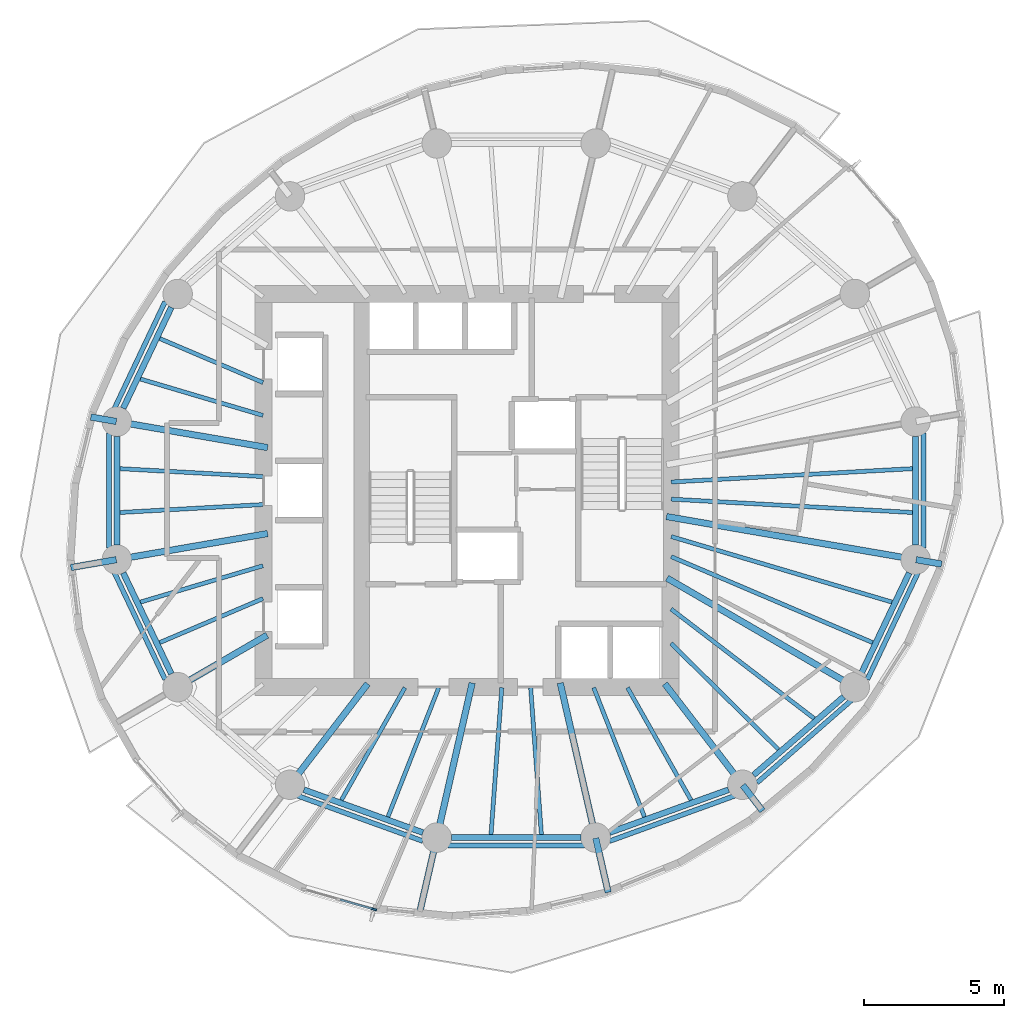
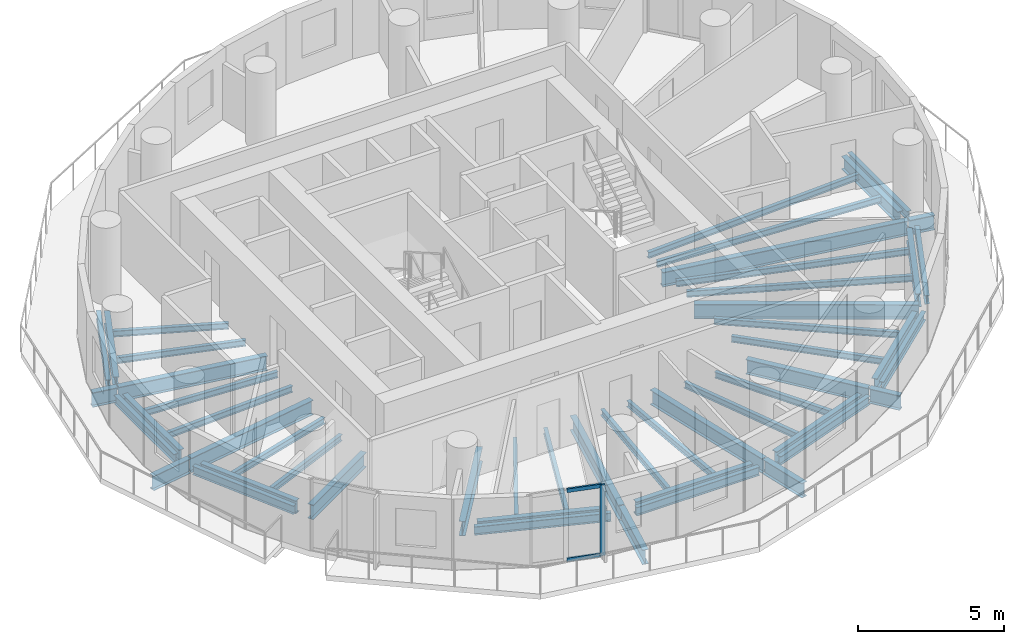
# One storey, part 2 of 12: 51 beams, 3 members, 1 element without a shape of its own.
"""IFC4 building model written with IfcOpenShell, lengths in metres."""

from ifc_helpers import new_model, si_unit, direction, frame, origin, origin_2d, place, context, subcontext, project, spatial, rectangle, i_section, extrude, material, material_profile, profile_set, type_object, element, aggregate, save


model = new_model("IFC4")

# Units and contexts
model_context = context("Model", 3, precision=1e-05, world=origin(), true_north=direction((0.0, 1.0)))
body_context = subcontext(model_context, "Body", "Model", "MODEL_VIEW")
ifc_project = project(units=[si_unit("LENGTHUNIT", "METRE"), si_unit("AREAUNIT", "SQUARE_METRE"), si_unit("VOLUMEUNIT", "CUBIC_METRE"), si_unit("PLANEANGLEUNIT", "RADIAN"), si_unit("MASSUNIT", "GRAM", prefix="KILO")], contexts=[model_context])

# Site, building, storey
site_placement = place(None, origin())
site = spatial("IfcSite", under=ifc_project, at=site_placement, CompositionType="ELEMENT")
building_placement = place(site_placement, origin())
building = spatial("IfcBuilding", under=site, at=building_placement, Name="Veldorim Arch Residences", CompositionType="ELEMENT")
storey_placement = place(building_placement, frame((0.0, 0.0, 145.760009765625)))
storey = spatial("IfcBuildingStorey", under=building, at=storey_placement, Name="L43", CompositionType="ELEMENT", Elevation=145.760009765625)

# Beams
ifc_material_1 = material(Name="Steel S355", Category="steel")
ifc_material_profile_1 = material_profile(ifc_material_1, i_section(OverallWidth=0.2099609375, OverallDepth=0.53662109375, WebThickness=0.0107421875, FlangeThickness=0.017333984375, at=origin_2d()), Name="UB533x210x101")
ifc_profile_set_1 = profile_set([ifc_material_profile_1], Name="Steel S355")
beam_type_1 = type_object("IfcBeamType", Name="Structural Steel Beam UB533x210x101", PredefinedType="BEAM", material=ifc_profile_set_1)
beam_1_placement = place(storey_placement, frame((19.7177734375, 30.5263671875, -0.50830078125), z_axis=(-0.43028577851, -0.902692721147, 0.0), x_axis=(0.902692721147, -0.43028577851, 0.0)))
element("IfcBeam", 1, at=beam_1_placement, inside=storey, type_object=beam_type_1, Name="L43 perimeter ring tie beam 07", PredefinedType="BEAM", context=body_context, shape_type="SweptSolid", body=[
    extrude(i_section(OverallWidth=0.2099609375, OverallDepth=0.53662109375, WebThickness=0.0107421875, FlangeThickness=0.017333984375, at=origin_2d()), origin(), (0.0, 0.0, 1.0), 3.98193359375),
])
beam_2_placement = place(storey_placement, frame((17.778564453125, 25.93310546875, -0.50830078125), z_axis=(0.0, -1.0, 0.0), x_axis=(1.0, 0.0, 0.0)))
element("IfcBeam", 2, at=beam_2_placement, inside=storey, type_object=beam_type_1, Name="L43 perimeter ring tie beam 08", PredefinedType="BEAM", context=body_context, shape_type="SweptSolid", body=[
    extrude(i_section(OverallWidth=0.2099609375, OverallDepth=0.53662109375, WebThickness=0.0107421875, FlangeThickness=0.017333984375, at=origin_2d()), origin(), (0.0, 0.0, 1.0), 3.8662109375),
])
beam_3_placement = place(storey_placement, frame((18.00439453125, 21.068115234375, -0.50830078125), z_axis=(0.43028577851, -0.902692721147, 0.0), x_axis=(0.902692721147, 0.43028577851, 0.0)))
element("IfcBeam", 3, at=beam_3_placement, inside=storey, type_object=beam_type_1, Name="L43 perimeter ring tie beam 09", PredefinedType="BEAM", context=body_context, shape_type="SweptSolid", body=[
    extrude(i_section(OverallWidth=0.2099609375, OverallDepth=0.53662109375, WebThickness=0.0107421875, FlangeThickness=0.017333984375, at=origin_2d()), origin(), (0.0, 0.0, 1.0), 3.98193359375),
])
beam_4_placement = place(storey_placement, frame((24.438232421875, 13.345703125, -0.50830078125), z_axis=(0.940899155006, -0.338686846673, 0.0), x_axis=(0.338686846673, 0.940899155006, 0.0)))
element("IfcBeam", 4, at=beam_4_placement, inside=storey, type_object=beam_type_1, Name="L43 perimeter ring tie beam 11", PredefinedType="BEAM", context=body_context, shape_type="SweptSolid", body=[
    extrude(i_section(OverallWidth=0.2099609375, OverallDepth=0.53662109375, WebThickness=0.0107421875, FlangeThickness=0.017333984375, at=origin_2d()), origin(), (0.0, 0.0, 1.0), 4.50537109375),
])
beam_5_placement = place(storey_placement, frame((29.6962890625, 11.64208984375, -0.50830078125), z_axis=(1.0, 0.0, 0.0), x_axis=(0.0, 1.0, 0.0)))
element("IfcBeam", 5, at=beam_5_placement, inside=storey, type_object=beam_type_1, Name="L43 perimeter ring tie beam 12", PredefinedType="BEAM", context=body_context, shape_type="SweptSolid", body=[
    extrude(i_section(OverallWidth=0.2099609375, OverallDepth=0.53662109375, WebThickness=0.0107421875, FlangeThickness=0.017333984375, at=origin_2d()), origin(), (0.0, 0.0, 1.0), 4.607421875),
])
beam_6_placement = place(storey_placement, frame((35.32275390625, 11.81982421875, -0.50830078125), z_axis=(0.940899155006, 0.338686846673, 0.0), x_axis=(-0.338686846673, 0.940899155006, 0.0)))
element("IfcBeam", 6, at=beam_6_placement, inside=storey, type_object=beam_type_1, Name="L43 perimeter ring tie beam 13", PredefinedType="BEAM", context=body_context, shape_type="SweptSolid", body=[
    extrude(i_section(OverallWidth=0.2099609375, OverallDepth=0.53662109375, WebThickness=0.0107421875, FlangeThickness=0.017333984375, at=origin_2d()), origin(), (0.0, 0.0, 1.0), 4.50537109375),
])
beam_7_placement = place(storey_placement, frame((40.4521484375, 13.867919921875, -0.50830078125), z_axis=(0.754810789581, 0.655942582802, 0.0), x_axis=(-0.655942582802, 0.754810789581, 0.0)))
element("IfcBeam", 7, at=beam_7_placement, inside=storey, type_object=beam_type_1, Name="L43 perimeter ring tie beam 14", PredefinedType="BEAM", context=body_context, shape_type="SweptSolid", body=[
    extrude(i_section(OverallWidth=0.2099609375, OverallDepth=0.53662109375, WebThickness=0.0107421875, FlangeThickness=0.017333984375, at=origin_2d()), origin(), (0.0, 0.0, 1.0), 4.249755859375),
])
beam_8_placement = place(storey_placement, frame((44.2822265625, 17.4736328125, -0.50830078125), z_axis=(0.43028577851, 0.902692721147, 0.0), x_axis=(-0.902692721147, 0.43028577851, 0.0)))
element("IfcBeam", 8, at=beam_8_placement, inside=storey, type_object=beam_type_1, Name="L43 perimeter ring tie beam 15", PredefinedType="BEAM", context=body_context, shape_type="SweptSolid", body=[
    extrude(i_section(OverallWidth=0.2099609375, OverallDepth=0.53662109375, WebThickness=0.0107421875, FlangeThickness=0.017333984375, at=origin_2d()), origin(), (0.0, 0.0, 1.0), 3.98193359375),
])
beam_9_placement = place(storey_placement, frame((46.221435546875, 22.06689453125, -0.50830078125), z_axis=(0.0, 1.0, 0.0), x_axis=(-1.0, 0.0, 0.0)))
element("IfcBeam", 9, at=beam_9_placement, inside=storey, type_object=beam_type_1, Name="L43 perimeter ring tie beam 16", PredefinedType="BEAM", context=body_context, shape_type="SweptSolid", body=[
    extrude(i_section(OverallWidth=0.2099609375, OverallDepth=0.53662109375, WebThickness=0.0107421875, FlangeThickness=0.017333984375, at=origin_2d()), origin(), (0.0, 0.0, 1.0), 3.8662109375),
])
ifc_material_2 = material(Name="Steel S355", Category="steel")
ifc_material_profile_2 = material_profile(ifc_material_2, i_section(OverallWidth=0.22900390625, OverallDepth=0.6123046875, WebThickness=0.011962890625, FlangeThickness=0.01953125, at=origin_2d()), Name="UB610x229x125")
ifc_profile_set_2 = profile_set([ifc_material_profile_2], Name="Steel S355")
beam_type_2 = type_object("IfcBeamType", Name="Structural Steel Beam UB610x229x125", PredefinedType="BEAM", material=ifc_profile_set_2)
beam_10_placement = place(storey_placement, frame((23.147705078125, 25.530029296875, -0.546142578125), z_axis=(-0.985390445301, 0.170310511449, 0.0), x_axis=(-0.170310511449, -0.985390445301, 0.0)))
element("IfcBeam", 10, at=beam_10_placement, inside=storey, type_object=beam_type_2, Name="L43 radial floor girder 08", PredefinedType="BEAM", context=body_context, shape_type="SweptSolid", body=[
    extrude(i_section(OverallWidth=0.22900390625, OverallDepth=0.6123046875, WebThickness=0.011962890625, FlangeThickness=0.01953125, at=origin_2d()), origin(), (0.0, 0.0, 1.0), 5.4287109375),
])
beam_11_placement = place(storey_placement, frame((17.7587890625, 26.46142578125, -0.546142578125), z_axis=(-0.985365065933, 0.170457287435, 0.0), x_axis=(-0.170457287435, -0.985365065933, 0.0)))
element("IfcBeam", 11, at=beam_11_placement, inside=storey, type_object=beam_type_2, Name="L43 radial edge cantilever girder 08", PredefinedType="BEAM", context=body_context, shape_type="SweptSolid", body=[
    extrude(i_section(OverallWidth=0.22900390625, OverallDepth=0.6123046875, WebThickness=0.011962890625, FlangeThickness=0.01953125, at=origin_2d()), origin(), (0.0, 0.0, 1.0), 0.9208984375),
])
beam_12_placement = place(storey_placement, frame((23.147705078125, 22.469970703125, -0.546142578125), z_axis=(-0.985390445301, -0.170310511449, 0.0), x_axis=(0.170310511449, -0.985390445301, 0.0)))
element("IfcBeam", 12, at=beam_12_placement, inside=storey, type_object=beam_type_2, Name="L43 radial floor girder 09", PredefinedType="BEAM", context=body_context, shape_type="SweptSolid", body=[
    extrude(i_section(OverallWidth=0.22900390625, OverallDepth=0.6123046875, WebThickness=0.011962890625, FlangeThickness=0.01953125, at=origin_2d()), origin(), (0.0, 0.0, 1.0), 5.4287109375),
])
beam_13_placement = place(storey_placement, frame((17.7587890625, 21.53857421875, -0.546142578125), z_axis=(-0.985387945346, -0.170324975168, 0.0), x_axis=(0.170324975168, -0.985387945346, 0.0)))
element("IfcBeam", 13, at=beam_13_placement, inside=storey, type_object=beam_type_2, Name="L43 radial edge cantilever girder 09", PredefinedType="BEAM", context=body_context, shape_type="SweptSolid", body=[
    extrude(i_section(OverallWidth=0.22900390625, OverallDepth=0.6123046875, WebThickness=0.011962890625, FlangeThickness=0.01953125, at=origin_2d()), origin(), (0.0, 0.0, 1.0), 1.642578125),
])
beam_14_placement = place(storey_placement, frame((23.129638671875, 18.849609375, -0.546142578125), z_axis=(-0.864794546612, -0.502125872815, 0.0), x_axis=(0.502125872815, -0.864794546612, 0.0)))
element("IfcBeam", 14, at=beam_14_placement, inside=storey, type_object=beam_type_2, Name="L43 radial floor girder 10", PredefinedType="BEAM", context=body_context, shape_type="SweptSolid", body=[
    extrude(i_section(OverallWidth=0.22900390625, OverallDepth=0.6123046875, WebThickness=0.011962890625, FlangeThickness=0.01953125, at=origin_2d()), origin(), (0.0, 0.0, 1.0), 3.6640625),
])
beam_15_placement = place(storey_placement, frame((26.708740234375, 17.118896484375, -0.546142578125), z_axis=(-0.609559199361, -0.792740551804, 0.0), x_axis=(0.792740551804, -0.609559199361, 0.0)))
element("IfcBeam", 15, at=beam_15_placement, inside=storey, type_object=beam_type_2, Name="L43 radial floor girder 11", PredefinedType="BEAM", context=body_context, shape_type="SweptSolid", body=[
    extrude(i_section(OverallWidth=0.22900390625, OverallDepth=0.6123046875, WebThickness=0.011962890625, FlangeThickness=0.01953125, at=origin_2d()), origin(), (0.0, 0.0, 1.0), 4.515380859375),
])
beam_16_placement = place(storey_placement, frame((30.43115234375, 17.146240234375, -0.546142578125), z_axis=(-0.223119342184, -0.974791136164, 0.0), x_axis=(0.974791136164, -0.223119342184, 0.0)))
element("IfcBeam", 16, at=beam_16_placement, inside=storey, type_object=beam_type_2, Name="L43 radial floor girder 12", PredefinedType="BEAM", context=body_context, shape_type="SweptSolid", body=[
    extrude(i_section(OverallWidth=0.22900390625, OverallDepth=0.6123046875, WebThickness=0.011962890625, FlangeThickness=0.01953125, at=origin_2d()), origin(), (0.0, 0.0, 1.0), 5.62646484375),
])
beam_17_placement = place(storey_placement, frame((29.166748046875, 11.62255859375, -0.546142578125), z_axis=(-0.223160890879, -0.974781625177, 0.0), x_axis=(0.974781625177, -0.223160890879, 0.0)))
element("IfcBeam", 17, at=beam_17_placement, inside=storey, type_object=beam_type_2, Name="L43 radial edge cantilever girder 12", PredefinedType="BEAM", context=body_context, shape_type="SweptSolid", body=[
    extrude(i_section(OverallWidth=0.22900390625, OverallDepth=0.6123046875, WebThickness=0.011962890625, FlangeThickness=0.01953125, at=origin_2d()), origin(), (0.0, 0.0, 1.0), 2.76123046875),
])
beam_18_placement = place(storey_placement, frame((33.56884765625, 17.146240234375, -0.546142578125), z_axis=(0.223119342184, -0.974791136164, 0.0), x_axis=(0.974791136164, 0.223119342184, 0.0)))
element("IfcBeam", 18, at=beam_18_placement, inside=storey, type_object=beam_type_2, Name="L43 radial floor girder 13", PredefinedType="BEAM", context=body_context, shape_type="SweptSolid", body=[
    extrude(i_section(OverallWidth=0.22900390625, OverallDepth=0.6123046875, WebThickness=0.011962890625, FlangeThickness=0.01953125, at=origin_2d()), origin(), (0.0, 0.0, 1.0), 5.62646484375),
])
beam_19_placement = place(storey_placement, frame((34.833251953125, 11.62255859375, -0.546142578125), z_axis=(0.223166267833, -0.974780394192, 0.0), x_axis=(0.974780394192, 0.223166267833, 0.0)))
element("IfcBeam", 19, at=beam_19_placement, inside=storey, type_object=beam_type_2, Name="L43 radial edge cantilever girder 13", PredefinedType="BEAM", context=body_context, shape_type="SweptSolid", body=[
    extrude(i_section(OverallWidth=0.22900390625, OverallDepth=0.6123046875, WebThickness=0.011962890625, FlangeThickness=0.01953125, at=origin_2d()), origin(), (0.0, 0.0, 1.0), 1.980224609375),
])
beam_20_placement = place(storey_placement, frame((37.291259765625, 17.118896484375, -0.546142578125), z_axis=(0.609559199361, -0.792740551804, 0.0), x_axis=(0.792740551804, 0.609559199361, 0.0)))
element("IfcBeam", 20, at=beam_20_placement, inside=storey, type_object=beam_type_2, Name="L43 radial floor girder 14", PredefinedType="BEAM", context=body_context, shape_type="SweptSolid", body=[
    extrude(i_section(OverallWidth=0.22900390625, OverallDepth=0.6123046875, WebThickness=0.011962890625, FlangeThickness=0.01953125, at=origin_2d()), origin(), (0.0, 0.0, 1.0), 4.515380859375),
])
beam_21_placement = place(storey_placement, frame((40.068115234375, 13.507568359375, -0.546142578125), z_axis=(0.609587834317, -0.792718532805, 0.0), x_axis=(0.792718532805, 0.609587834317, 0.0)))
element("IfcBeam", 21, at=beam_21_placement, inside=storey, type_object=beam_type_2, Name="L43 radial edge cantilever girder 14", PredefinedType="BEAM", context=body_context, shape_type="SweptSolid", body=[
    extrude(i_section(OverallWidth=0.22900390625, OverallDepth=0.6123046875, WebThickness=0.011962890625, FlangeThickness=0.01953125, at=origin_2d()), origin(), (0.0, 0.0, 1.0), 1.15185546875),
])
beam_22_placement = place(storey_placement, frame((37.370361328125, 20.8818359375, -0.546142578125), z_axis=(0.864793381443, -0.502127879542, 0.0), x_axis=(0.502127879542, 0.864793381443, 0.0)))
element("IfcBeam", 22, at=beam_22_placement, inside=storey, type_object=beam_type_2, Name="L43 radial floor girder 15", PredefinedType="BEAM", context=body_context, shape_type="SweptSolid", body=[
    extrude(i_section(OverallWidth=0.22900390625, OverallDepth=0.6123046875, WebThickness=0.011962890625, FlangeThickness=0.01953125, at=origin_2d()), origin(), (0.0, 0.0, 1.0), 7.71142578125),
])
beam_23_placement = place(storey_placement, frame((37.352294921875, 23.074951171875, -0.546142578125), z_axis=(0.985389398766, -0.170316566427, 0.0), x_axis=(0.170316566427, 0.985389398766, 0.0)))
element("IfcBeam", 23, at=beam_23_placement, inside=storey, type_object=beam_type_2, Name="L43 radial floor girder 16", PredefinedType="BEAM", context=body_context, shape_type="SweptSolid", body=[
    extrude(i_section(OverallWidth=0.22900390625, OverallDepth=0.6123046875, WebThickness=0.011962890625, FlangeThickness=0.01953125, at=origin_2d()), origin(), (0.0, 0.0, 1.0), 8.98046875),
])
beam_24_placement = place(storey_placement, frame((46.2412109375, 21.53857421875, -0.546142578125), z_axis=(0.985365065933, -0.170457287435, 0.0), x_axis=(0.170457287435, 0.985365065933, 0.0)))
element("IfcBeam", 24, at=beam_24_placement, inside=storey, type_object=beam_type_2, Name="L43 radial edge cantilever girder 16", PredefinedType="BEAM", context=body_context, shape_type="SweptSolid", body=[
    extrude(i_section(OverallWidth=0.22900390625, OverallDepth=0.6123046875, WebThickness=0.011962890625, FlangeThickness=0.01953125, at=origin_2d()), origin(), (0.0, 0.0, 1.0), 0.9208984375),
])
ifc_material_3 = material(Name="Steel S355", Category="steel")
ifc_material_profile_3 = material_profile(ifc_material_3, i_section(OverallWidth=0.146484375, OverallDepth=0.256103515625, WebThickness=0.00634765625, FlangeThickness=0.010986328125, at=origin_2d()), Name="UB254x146x37")
ifc_profile_set_3 = profile_set([ifc_material_profile_3], Name="Steel S355")
beam_type_3 = type_object("IfcBeamType", Name="Structural Steel Joist UB254x146x37", PredefinedType="JOIST", material=ifc_profile_set_3)
beam_25_placement = place(storey_placement, frame((22.981689453125, 27.84619140625, -0.367919921875), z_axis=(-0.919823469329, 0.392332493265, 0.0), x_axis=(-0.392332493265, -0.919823469329, 0.0)))
element("IfcBeam", 25, at=beam_25_placement, inside=storey, type_object=beam_type_3, Name="L43 secondary radial floor joist 07-1", PredefinedType="JOIST", context=body_context, shape_type="SweptSolid", body=[
    extrude(i_section(OverallWidth=0.146484375, OverallDepth=0.256103515625, WebThickness=0.00634765625, FlangeThickness=0.010986328125, at=origin_2d()), origin(), (0.0, 0.0, 1.0), 3.993896484375),
])
beam_26_placement = place(storey_placement, frame((22.980712890625, 26.677001953125, -0.367919921875), z_axis=(-0.95868163277, 0.284481154014, 0.0), x_axis=(-0.284481154014, -0.95868163277, 0.0)))
element("IfcBeam", 26, at=beam_26_placement, inside=storey, type_object=beam_type_3, Name="L43 secondary radial floor joist 07-2", PredefinedType="JOIST", context=body_context, shape_type="SweptSolid", body=[
    extrude(i_section(OverallWidth=0.146484375, OverallDepth=0.256103515625, WebThickness=0.00634765625, FlangeThickness=0.010986328125, at=origin_2d()), origin(), (0.0, 0.0, 1.0), 4.54931640625),
])
for number, where, z_axis, x_axis, name in (
    (27, (22.97998046875, 24.498779296875, -0.367919921875), (-0.998472994317, 0.055242009562, 0.0), (-0.055242009562, -0.998472994317, 0.0), "L43 secondary radial floor joist 08-1"),
    (28, (22.97998046875, 23.501220703125, -0.367919921875), (-0.998472994317, -0.055242009562, 0.0), (0.055242009562, -0.998472994317, 0.0), "L43 secondary radial floor joist 08-2"),
):
    element("IfcBeam", number, at=place(storey_placement, frame(where, z_axis=z_axis, x_axis=x_axis)), inside=storey, type_object=beam_type_3, Name=name, PredefinedType="JOIST", context=body_context, shape_type="SweptSolid", body=[
        extrude(i_section(OverallWidth=0.146484375, OverallDepth=0.256103515625, WebThickness=0.00634765625, FlangeThickness=0.010986328125, at=origin_2d()), origin(), (0.0, 0.0, 1.0), 5.10009765625),
    ])
beam_27_placement = place(storey_placement, frame((22.980712890625, 21.322998046875, -0.367919921875), z_axis=(-0.95868163277, -0.284481154014, 0.0), x_axis=(0.284481154014, -0.95868163277, 0.0)))
element("IfcBeam", 29, at=beam_27_placement, inside=storey, type_object=beam_type_3, Name="L43 secondary radial floor joist 09-1", PredefinedType="JOIST", context=body_context, shape_type="SweptSolid", body=[
    extrude(i_section(OverallWidth=0.146484375, OverallDepth=0.256103515625, WebThickness=0.00634765625, FlangeThickness=0.010986328125, at=origin_2d()), origin(), (0.0, 0.0, 1.0), 4.54931640625),
])
beam_28_placement = place(storey_placement, frame((22.981689453125, 20.15380859375, -0.367919921875), z_axis=(-0.919823469329, -0.392332493265, 0.0), x_axis=(0.392332493265, -0.919823469329, 0.0)))
element("IfcBeam", 30, at=beam_28_placement, inside=storey, type_object=beam_type_3, Name="L43 secondary radial floor joist 09-2", PredefinedType="JOIST", context=body_context, shape_type="SweptSolid", body=[
    extrude(i_section(OverallWidth=0.146484375, OverallDepth=0.256103515625, WebThickness=0.00634765625, FlangeThickness=0.010986328125, at=origin_2d()), origin(), (0.0, 0.0, 1.0), 3.993896484375),
])
beam_29_placement = place(storey_placement, frame((28.03662109375, 16.982666015625, -0.367919921875), z_axis=(-0.491815801586, -0.870699269157, 0.0), x_axis=(0.870699269157, -0.491815801586, 0.0)))
element("IfcBeam", 31, at=beam_29_placement, inside=storey, type_object=beam_type_3, Name="L43 secondary radial floor joist 11-1", PredefinedType="JOIST", context=body_context, shape_type="SweptSolid", body=[
    extrude(i_section(OverallWidth=0.146484375, OverallDepth=0.256103515625, WebThickness=0.00634765625, FlangeThickness=0.010986328125, at=origin_2d()), origin(), (0.0, 0.0, 1.0), 4.59814453125),
])
beam_30_placement = place(storey_placement, frame((29.2412109375, 16.9814453125, -0.367919921875), z_axis=(-0.365777738491, -0.930702232739, 0.0), x_axis=(0.930702232739, -0.365777738491, 0.0)))
element("IfcBeam", 32, at=beam_30_placement, inside=storey, type_object=beam_type_3, Name="L43 secondary radial floor joist 11-2", PredefinedType="JOIST", context=body_context, shape_type="SweptSolid", body=[
    extrude(i_section(OverallWidth=0.146484375, OverallDepth=0.256103515625, WebThickness=0.00634765625, FlangeThickness=0.010986328125, at=origin_2d()), origin(), (0.0, 0.0, 1.0), 4.9404296875),
])
for number, where, z_axis, x_axis, name in (
    (33, (31.48583984375, 16.97998046875, -0.367919921875), (-0.073060364166, -0.997327520521, 0.0), (0.997327520521, -0.073060364166, 0.0), "L43 secondary radial floor joist 12-1"),
    (34, (32.51416015625, 16.97998046875, -0.367919921875), (0.073060364166, -0.997327520521, 0.0), (0.997327520521, 0.073060364166, 0.0), "L43 secondary radial floor joist 12-2"),
):
    element("IfcBeam", number, at=place(storey_placement, frame(where, z_axis=z_axis, x_axis=x_axis)), inside=storey, type_object=beam_type_3, Name=name, PredefinedType="JOIST", context=body_context, shape_type="SweptSolid", body=[
        extrude(i_section(OverallWidth=0.146484375, OverallDepth=0.256103515625, WebThickness=0.00634765625, FlangeThickness=0.010986328125, at=origin_2d()), origin(), (0.0, 0.0, 1.0), 5.242919921875),
    ])
beam_31_placement = place(storey_placement, frame((34.7587890625, 16.9814453125, -0.367919921875), z_axis=(0.365777738491, -0.930702232739, 0.0), x_axis=(0.930702232739, 0.365777738491, 0.0)))
element("IfcBeam", 35, at=beam_31_placement, inside=storey, type_object=beam_type_3, Name="L43 secondary radial floor joist 13-1", PredefinedType="JOIST", context=body_context, shape_type="SweptSolid", body=[
    extrude(i_section(OverallWidth=0.146484375, OverallDepth=0.256103515625, WebThickness=0.00634765625, FlangeThickness=0.010986328125, at=origin_2d()), origin(), (0.0, 0.0, 1.0), 4.9404296875),
])
beam_32_placement = place(storey_placement, frame((35.96337890625, 16.982666015625, -0.367919921875), z_axis=(0.491815801586, -0.870699269157, 0.0), x_axis=(0.870699269157, 0.491815801586, 0.0)))
element("IfcBeam", 36, at=beam_32_placement, inside=storey, type_object=beam_type_3, Name="L43 secondary radial floor joist 13-2", PredefinedType="JOIST", context=body_context, shape_type="SweptSolid", body=[
    extrude(i_section(OverallWidth=0.146484375, OverallDepth=0.256103515625, WebThickness=0.00634765625, FlangeThickness=0.010986328125, at=origin_2d()), origin(), (0.0, 0.0, 1.0), 4.59814453125),
])
beam_33_placement = place(storey_placement, frame((37.51416015625, 18.556884765625, -0.367919921875), z_axis=(0.711703457158, -0.702480027523, 0.0), x_axis=(0.702480027523, 0.711703457158, 0.0)))
element("IfcBeam", 37, at=beam_33_placement, inside=storey, type_object=beam_type_3, Name="L43 secondary radial floor joist 14-1", PredefinedType="JOIST", context=body_context, shape_type="SweptSolid", body=[
    extrude(i_section(OverallWidth=0.146484375, OverallDepth=0.256103515625, WebThickness=0.00634765625, FlangeThickness=0.010986328125, at=origin_2d()), origin(), (0.0, 0.0, 1.0), 5.373291015625),
])
beam_34_placement = place(storey_placement, frame((37.515869140625, 19.780517578125, -0.367919921875), z_axis=(0.794267053144, -0.607568801281, 0.0), x_axis=(0.607568801281, 0.794267053144, 0.0)))
element("IfcBeam", 38, at=beam_34_placement, inside=storey, type_object=beam_type_3, Name="L43 secondary radial floor joist 14-2", PredefinedType="JOIST", context=body_context, shape_type="SweptSolid", body=[
    extrude(i_section(OverallWidth=0.146484375, OverallDepth=0.256103515625, WebThickness=0.00634765625, FlangeThickness=0.010986328125, at=origin_2d()), origin(), (0.0, 0.0, 1.0), 6.412841796875),
])
beam_35_placement = place(storey_placement, frame((37.518310546875, 21.646484375, -0.367919921875), z_axis=(0.919831795434, -0.39231297214, 0.0), x_axis=(0.39231297214, 0.919831795434, 0.0)))
element("IfcBeam", 39, at=beam_35_placement, inside=storey, type_object=beam_type_3, Name="L43 secondary radial floor joist 15-1", PredefinedType="JOIST", context=body_context, shape_type="SweptSolid", body=[
    extrude(i_section(OverallWidth=0.146484375, OverallDepth=0.256103515625, WebThickness=0.00634765625, FlangeThickness=0.010986328125, at=origin_2d()), origin(), (0.0, 0.0, 1.0), 7.798828125),
])
beam_36_placement = place(storey_placement, frame((37.519287109375, 22.36181640625, -0.367919921875), z_axis=(0.958674276305, -0.284505943614, 0.0), x_axis=(0.284505943614, 0.958674276305, 0.0)))
element("IfcBeam", 40, at=beam_36_placement, inside=storey, type_object=beam_type_3, Name="L43 secondary radial floor joist 15-2", PredefinedType="JOIST", context=body_context, shape_type="SweptSolid", body=[
    extrude(i_section(OverallWidth=0.146484375, OverallDepth=0.256103515625, WebThickness=0.00634765625, FlangeThickness=0.010986328125, at=origin_2d()), origin(), (0.0, 0.0, 1.0), 8.2001953125),
])
for number, where, z_axis, x_axis, name in (
    (41, (37.52001953125, 23.694580078125, -0.367919921875), (0.998474809964, -0.055209182821, 0.0), (0.055209182821, 0.998474809964, 0.0), "L43 secondary radial floor joist 16-1"),
    (42, (37.52001953125, 24.305419921875, -0.367919921875), (0.998474809964, 0.055209182821, 0.0), (-0.055209182821, 0.998474809964, 0.0), "L43 secondary radial floor joist 16-2"),
):
    element("IfcBeam", number, at=place(storey_placement, frame(where, z_axis=z_axis, x_axis=x_axis)), inside=storey, type_object=beam_type_3, Name=name, PredefinedType="JOIST", context=body_context, shape_type="SweptSolid", body=[
        extrude(i_section(OverallWidth=0.146484375, OverallDepth=0.256103515625, WebThickness=0.00634765625, FlangeThickness=0.010986328125, at=origin_2d()), origin(), (0.0, 0.0, 1.0), 8.60546875),
    ])
ifc_material_4 = material(Name="Steel S355", Category="steel")
ifc_material_profile_4 = material_profile(ifc_material_4, i_section(OverallWidth=0.172119140625, OverallDepth=0.35791015625, WebThickness=0.008056640625, FlangeThickness=0.012939453125, at=origin_2d()), Name="UB356x171x57")
ifc_profile_set_4 = profile_set([ifc_material_profile_4], Name="Steel S355")
beam_type_4 = type_object("IfcBeamType", Name="Structural Steel Spandrel UB356x171x57", PredefinedType="SPANDREL", material=ifc_profile_set_4)
beam_37_placement = place(storey_placement, frame((19.49609375, 30.727783203125, -0.43896484375), z_axis=(-0.428579957662, -0.903503857153, 0.0), x_axis=(0.903503857153, -0.428579957662, 0.0)))
element("IfcBeam", 43, at=beam_37_placement, inside=storey, type_object=beam_type_4, Name="L43 perimeter chord spandrel beam 07", PredefinedType="SPANDREL", context=body_context, shape_type="SweptSolid", body=[
    extrude(i_section(OverallWidth=0.172119140625, OverallDepth=0.35791015625, WebThickness=0.008056640625, FlangeThickness=0.012939453125, at=origin_2d()), origin(), (0.0, 0.0, 1.0), 4.209228515625),
])
beam_38_placement = place(storey_placement, frame((17.494140625, 26.04541015625, -0.43896484375), z_axis=(0.0, -1.0, 0.0), x_axis=(1.0, 0.0, 0.0)))
element("IfcBeam", 44, at=beam_38_placement, inside=storey, type_object=beam_type_4, Name="L43 perimeter chord spandrel beam 08", PredefinedType="SPANDREL", context=body_context, shape_type="SweptSolid", body=[
    extrude(i_section(OverallWidth=0.172119140625, OverallDepth=0.35791015625, WebThickness=0.008056640625, FlangeThickness=0.012939453125, at=origin_2d()), origin(), (0.0, 0.0, 1.0), 4.0908203125),
])
beam_39_placement = place(storey_placement, frame((17.692138671875, 21.0751953125, -0.43896484375), z_axis=(0.428579957662, -0.903503857153, 0.0), x_axis=(0.903503857153, 0.428579957662, 0.0)))
element("IfcBeam", 45, at=beam_39_placement, inside=storey, type_object=beam_type_4, Name="L43 perimeter chord spandrel beam 09", PredefinedType="SPANDREL", context=body_context, shape_type="SweptSolid", body=[
    extrude(i_section(OverallWidth=0.172119140625, OverallDepth=0.35791015625, WebThickness=0.008056640625, FlangeThickness=0.012939453125, at=origin_2d()), origin(), (0.0, 0.0, 1.0), 4.209228515625),
])
beam_40_placement = place(storey_placement, frame((24.20263671875, 13.13720703125, -0.43896484375), z_axis=(0.940212553113, -0.340588248429, 0.0), x_axis=(0.340588248429, 0.940212553113, 0.0)))
element("IfcBeam", 46, at=beam_40_placement, inside=storey, type_object=beam_type_4, Name="L43 perimeter chord spandrel beam 11", PredefinedType="SPANDREL", context=body_context, shape_type="SweptSolid", body=[
    extrude(i_section(OverallWidth=0.172119140625, OverallDepth=0.35791015625, WebThickness=0.008056640625, FlangeThickness=0.012939453125, at=origin_2d()), origin(), (0.0, 0.0, 1.0), 4.75390625),
])
beam_41_placement = place(storey_placement, frame((29.56884765625, 11.360595703125, -0.43896484375), z_axis=(1.0, 0.0, 0.0), x_axis=(0.0, 1.0, 0.0)))
element("IfcBeam", 47, at=beam_41_placement, inside=storey, type_object=beam_type_4, Name="L43 perimeter chord spandrel beam 12", PredefinedType="SPANDREL", context=body_context, shape_type="SweptSolid", body=[
    extrude(i_section(OverallWidth=0.172119140625, OverallDepth=0.35791015625, WebThickness=0.008056640625, FlangeThickness=0.012939453125, at=origin_2d()), origin(), (0.0, 0.0, 1.0), 4.8623046875),
])
beam_42_placement = place(storey_placement, frame((35.32763671875, 11.51806640625, -0.43896484375), z_axis=(0.940212553113, 0.340588248429, 0.0), x_axis=(-0.340588248429, 0.940212553113, 0.0)))
element("IfcBeam", 48, at=beam_42_placement, inside=storey, type_object=beam_type_4, Name="L43 perimeter chord spandrel beam 13", PredefinedType="SPANDREL", context=body_context, shape_type="SweptSolid", body=[
    extrude(i_section(OverallWidth=0.172119140625, OverallDepth=0.35791015625, WebThickness=0.008056640625, FlangeThickness=0.012939453125, at=origin_2d()), origin(), (0.0, 0.0, 1.0), 4.75390625),
])
beam_43_placement = place(storey_placement, frame((40.57958984375, 13.5986328125, -0.43896484375), z_axis=(0.753014748982, 0.658003638148, 0.0), x_axis=(-0.658003638148, 0.753014748982, 0.0)))
element("IfcBeam", 49, at=beam_43_placement, inside=storey, type_object=beam_type_4, Name="L43 perimeter chord spandrel beam 14", PredefinedType="SPANDREL", context=body_context, shape_type="SweptSolid", body=[
    extrude(i_section(OverallWidth=0.172119140625, OverallDepth=0.35791015625, WebThickness=0.008056640625, FlangeThickness=0.012939453125, at=origin_2d()), origin(), (0.0, 0.0, 1.0), 4.486572265625),
])
beam_44_placement = place(storey_placement, frame((44.50390625, 17.272216796875, -0.43896484375), z_axis=(0.428579957662, 0.903503857153, 0.0), x_axis=(-0.903503857153, 0.428579957662, 0.0)))
element("IfcBeam", 50, at=beam_44_placement, inside=storey, type_object=beam_type_4, Name="L43 perimeter chord spandrel beam 15", PredefinedType="SPANDREL", context=body_context, shape_type="SweptSolid", body=[
    extrude(i_section(OverallWidth=0.172119140625, OverallDepth=0.35791015625, WebThickness=0.008056640625, FlangeThickness=0.012939453125, at=origin_2d()), origin(), (0.0, 0.0, 1.0), 4.209228515625),
])
beam_45_placement = place(storey_placement, frame((46.505859375, 21.95458984375, -0.43896484375), z_axis=(0.0, 1.0, 0.0), x_axis=(-1.0, 0.0, 0.0)))
element("IfcBeam", 51, at=beam_45_placement, inside=storey, type_object=beam_type_4, Name="L43 perimeter chord spandrel beam 16", PredefinedType="SPANDREL", context=body_context, shape_type="SweptSolid", body=[
    extrude(i_section(OverallWidth=0.172119140625, OverallDepth=0.35791015625, WebThickness=0.008056640625, FlangeThickness=0.012939453125, at=origin_2d()), origin(), (0.0, 0.0, 1.0), 4.0908203125),
])

# Curtain wall, members
ifc_material_5 = material(Name="Aluminium", Category="aluminium")
curtain_wall_type = type_object("IfcCurtainWallType", Name="Zone 3 High-Wind Unitised Curtain Wall", PredefinedType="NOTDEFINED", material=ifc_material_5)
curtain_wall_placement = place(storey_placement, origin())
curtain_wall = element("IfcCurtainWall", 52, at=curtain_wall_placement, inside=storey, type_object=curtain_wall_type, Name="L43 unitised curtain wall bay 22", PredefinedType="NOTDEFINED")
ifc_material_6 = material(Name="Aluminium", Category="aluminium")
ifc_material_profile_5 = material_profile(ifc_material_6, rectangle(XDim=0.070068359375, YDim=0.179931640625, at=origin_2d()), Name="ALU_MUL_70x180")
ifc_profile_set_5 = profile_set([ifc_material_profile_5], Name="Aluminium")
member_type_1 = type_object("IfcMemberType", Name="Zone 3 High-Wind Unitised Curtain Wall Mullion 70x180", PredefinedType="MULLION", material=ifc_profile_set_5)
member_1_placement = place(storey_placement, frame((26.938232421875, 9.088134765625, 0.0), z_axis=(0.0, 0.0, 1.0), x_axis=(-0.273550022991, -0.961857777908, 0.0)))
member_1 = element("IfcMember", 53, at=member_1_placement, type_object=member_type_1, Name="CW-Z3 mullion 1", PredefinedType="MULLION", context=body_context, shape_type="SweptSolid", body=[
    extrude(rectangle(XDim=0.070068359375, YDim=0.179931640625, at=origin_2d()), origin(), (0.0, 0.0, 1.0), 2.9599609375),
])
ifc_material_7 = material(Name="Aluminium", Category="aluminium")
ifc_material_profile_6 = material_profile(ifc_material_7, rectangle(XDim=0.070068359375, YDim=0.155029296875, at=origin_2d()), Name="ALU_TRN_70x155")
ifc_profile_set_6 = profile_set([ifc_material_profile_6], Name="Aluminium")
member_type_2 = type_object("IfcMemberType", Name="Zone 3 High-Wind Unitised Curtain Wall Transom 70x155", PredefinedType="USERDEFINED", material=ifc_profile_set_6)
member_2_placement = place(storey_placement, frame((26.904541015625, 9.09765625, 0.034912109375), z_axis=(-0.961838928822, 0.273616291553, 0.0), x_axis=(-0.273616291553, -0.961838928822, 0.0)))
member_2 = element("IfcMember", 54, at=member_2_placement, type_object=member_type_2, Name="CW-Z3 transom 1.1", ObjectType="TRANSOM", PredefinedType="USERDEFINED", context=body_context, shape_type="SweptSolid", body=[
    extrude(rectangle(XDim=0.070068359375, YDim=0.155029296875, at=origin_2d()), origin(), (0.0, 0.0, 1.0), 1.22607421875),
])
member_3_placement = place(storey_placement, frame((26.904541015625, 9.09765625, 2.925048828125), z_axis=(-0.961838928822, 0.273616291553, 0.0), x_axis=(-0.273616291553, -0.961838928822, 0.0)))
member_3 = element("IfcMember", 55, at=member_3_placement, type_object=member_type_2, Name="CW-Z3 transom 1.2", ObjectType="TRANSOM", PredefinedType="USERDEFINED", context=body_context, shape_type="SweptSolid", body=[
    extrude(rectangle(XDim=0.070068359375, YDim=0.155029296875, at=origin_2d()), origin(), (0.0, 0.0, 1.0), 1.22607421875),
])
aggregate(curtain_wall, [member_1, member_2, member_3])

save(model, "model.ifc")
